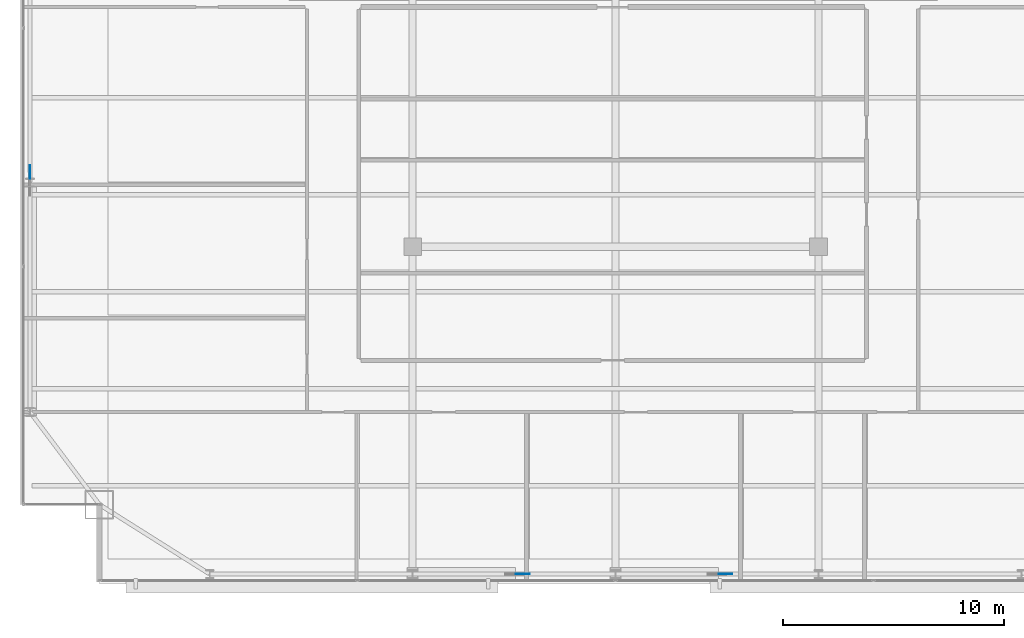
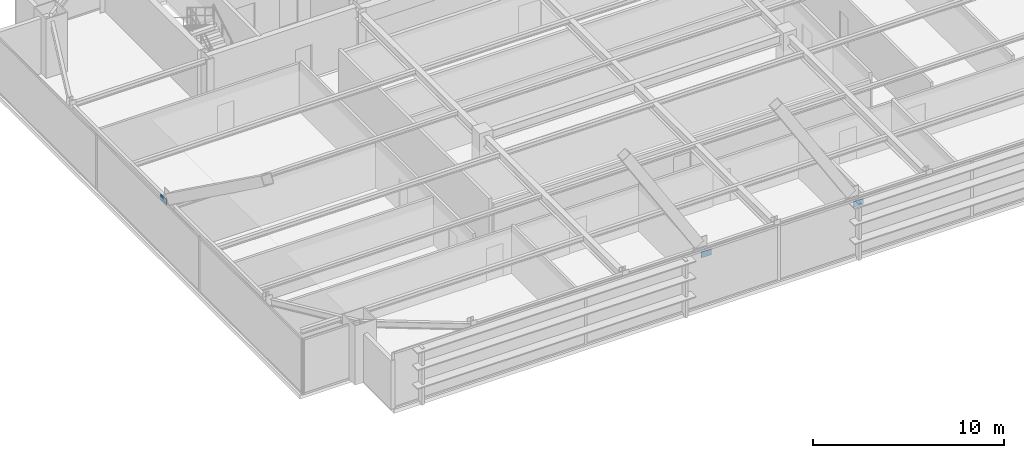
# One storey, part 24 of 30: 3 plates.
"""IFC4 building model written with IfcOpenShell, lengths in metres."""

from ifc_helpers import new_model, si_unit, direction, frame, origin, origin_2d, place, context, subcontext, project, spatial, rectangle, extrude, source, transform, mapped, material, layer, layer_set, type_object, type_shapes, element, save


model = new_model("IFC4")

# Units and contexts
model_context = context("Model", 3, precision=1e-05, world=origin(), true_north=direction((0.0, 1.0)))
body_context = subcontext(model_context, "Body", "Model", "MODEL_VIEW")
ifc_project = project(units=[si_unit("LENGTHUNIT", "METRE"), si_unit("AREAUNIT", "SQUARE_METRE"), si_unit("VOLUMEUNIT", "CUBIC_METRE"), si_unit("PLANEANGLEUNIT", "RADIAN"), si_unit("MASSUNIT", "GRAM", prefix="KILO")], contexts=[model_context])

# Site, building, storey
site_placement = place(None, origin())
site = spatial("IfcSite", under=ifc_project, at=site_placement, CompositionType="ELEMENT")
building_placement = place(site_placement, origin())
building = spatial("IfcBuilding", under=site, at=building_placement, Name="Varnel Quay Broadcast Tower", CompositionType="ELEMENT")
storey_placement = place(building_placement, frame((0.0, 0.0, 180.0)))
storey = spatial("IfcBuildingStorey", under=building, at=storey_placement, Name="L44", CompositionType="ELEMENT", Elevation=180.0)

# Plates
ifc_material = material(Name="Structural Steel CSA G40.21 350WT", Category="steel")
ifc_layer = layer(ifc_material, 0.031982421875, Name="Structural Steel CSA G40.21 350WT")
ifc_layer_set = layer_set([ifc_layer], Name="Structural Steel CSA G40.21 350WT")
plate_type = type_object("IfcPlateType", Name="Plate_EndCap", PredefinedType="USERDEFINED", material=ifc_layer_set)
shared_shape = source(origin(), body_context, "Body", "SweptSolid", [
    extrude(rectangle(XDim=0.6201171875, YDim=0.031982421875, at=origin_2d()), origin(), (0.0, 0.0, 1.0), 0.3798828125),
])
type_shapes(plate_type, [shared_shape])
for number, where, z_axis, x_axis, name in (
    (1, (29.789306640625, 7.64990234375, 2.84033203125), (0.0, 0.0, 1.0), (1.0, 0.0, 0.0), "Zone 3 Mega-Brace S-C1T3 Diag B1 End Connection Plate P1"),
    (2, (38.9892578125, 7.64990234375, 2.84033203125), (0.0, 0.0, 1.0), (1.0, 0.0, 0.0), "Zone 3 Mega-Brace S-C2T3 Diag B1 End Connection Plate P1"),
    (3, (7.449951171875, 25.884521484375, 3.0478515625), (0.0, 0.0, 1.0), (0.0, 1.0, 0.0), "Zone 3 Mega-Brace W-FT3 Diag B1 End Connection Plate P1"),
):
    element("IfcPlate", number, at=place(storey_placement, frame(where, z_axis=z_axis, x_axis=x_axis)), inside=storey, type_object=plate_type, Name=name, ObjectType="CAP_PLATE", PredefinedType="USERDEFINED", context=body_context, shape_type="MappedRepresentation", body=[
        mapped(shared_shape, transform((0.0, 0.0, 0.0), x_axis=(1.0, 0.0, 0.0), y_axis=(0.0, 1.0, 0.0), z_axis=(0.0, 0.0, 1.0), scale=1.0)),
    ])

save(model, "model.ifc")
